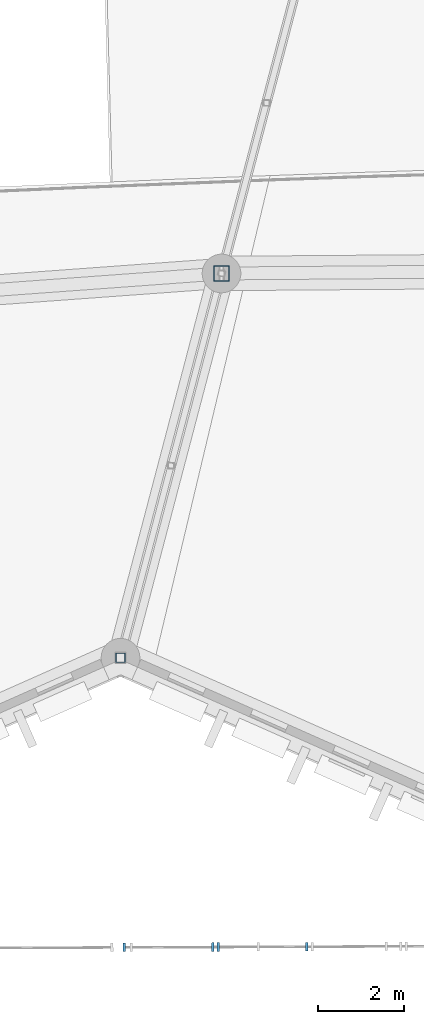
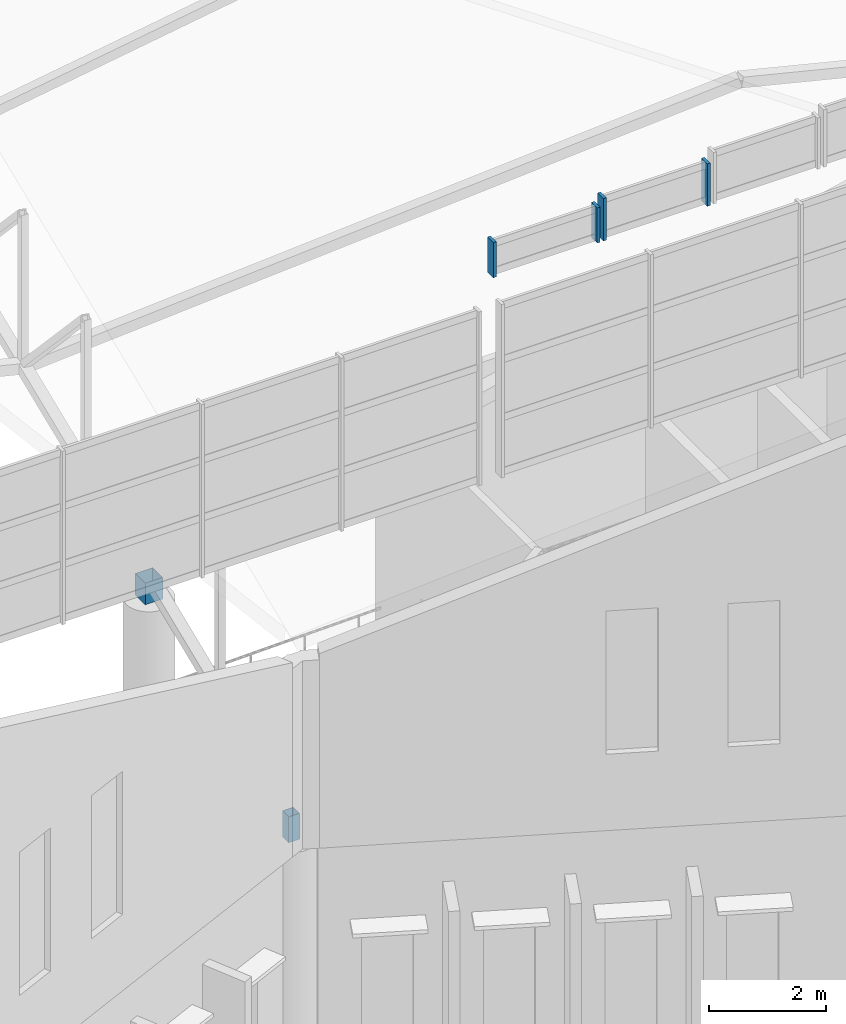
# One storey, part 209 of 344: 6 members, 2 elements without a shape of their own.
"""IFC4 building model written with IfcOpenShell, lengths in metres."""

from ifc_helpers import new_model, si_unit, direction, frame, origin, origin_2d, place, context, subcontext, project, spatial, rectangle, hollow_rectangle, extrude, material, layer, layer_set, material_profile, profile_set, type_object, element, aggregate, save


model = new_model("IFC4")

# Units and contexts
model_context = context("Model", 3, precision=1e-05, world=origin(), true_north=direction((0.0, 1.0)))
body_context = subcontext(model_context, "Body", "Model", "MODEL_VIEW")
ifc_project = project(units=[si_unit("LENGTHUNIT", "METRE"), si_unit("AREAUNIT", "SQUARE_METRE"), si_unit("VOLUMEUNIT", "CUBIC_METRE"), si_unit("PLANEANGLEUNIT", "RADIAN"), si_unit("MASSUNIT", "GRAM", prefix="KILO")], contexts=[model_context])

# Site, building, storey
site_placement = place(None, origin())
site = spatial("IfcSite", under=ifc_project, at=site_placement, CompositionType="ELEMENT")
building_placement = place(site_placement, origin())
building = spatial("IfcBuilding", under=site, at=building_placement, Name="Meseta Stadium", CompositionType="ELEMENT")
storey_placement = place(building_placement, frame((0.0, 0.0, 24.0)))
storey = spatial("IfcBuildingStorey", under=building, at=storey_placement, Name="L04", CompositionType="ELEMENT", Elevation=24.0)

# Curtain wall, members
ifc_material_1 = material(Name="Aluminium", Category="aluminium")
ifc_layer = layer(ifc_material_1, 0.199951171875)
ifc_layer_set = layer_set([ifc_layer], Name="Gable glazing curtain wall")
curtain_wall_type = type_object("IfcCurtainWallType", Name="Gable glazing curtain wall", PredefinedType="NOTDEFINED", material=ifc_layer_set)
curtain_wall_1_placement = place(storey_placement, origin())
curtain_wall_1 = element("IfcCurtainWall", 1, at=curtain_wall_1_placement, inside=storey, type_object=curtain_wall_type, Name="Gable glazing south bay 08", PredefinedType="NOTDEFINED")
ifc_material_2 = material(Name="Aluminium", Category="aluminium")
ifc_material_profile_1 = material_profile(ifc_material_2, rectangle(XDim=0.199951171875, YDim=0.06005859375, at=origin_2d()), Name="CW 200x60")
ifc_profile_set_1 = profile_set([ifc_material_profile_1], Name="Aluminium")
member_type_1 = type_object("IfcMemberType", Name="CW mullion 60x200", PredefinedType="MULLION", material=ifc_profile_set_1)
member_1_placement = place(storey_placement, frame((-22.912109375, -105.340576171875, 21.85498046875), z_axis=(0.0, 0.0, 1.0), x_axis=(-0.003847534233, 0.999992598213, 0.0)))
member_1 = element("IfcMember", 2, at=member_1_placement, type_object=member_type_1, Name="CWG mullion 1", PredefinedType="MULLION", context=body_context, shape_type="SweptSolid", body=[
    extrude(rectangle(XDim=0.199951171875, YDim=0.06005859375, at=origin_2d()), origin(), (0.0, 0.0, 1.0), 0.73681640625),
])
member_2_placement = place(storey_placement, frame((-20.849365234375, -105.332763671875, 21.85498046875), z_axis=(0.0, 0.0, 1.0), x_axis=(-0.003847534233, 0.999992598213, 0.0)))
member_2 = element("IfcMember", 3, at=member_2_placement, type_object=member_type_1, Name="CWG mullion 2", PredefinedType="MULLION", context=body_context, shape_type="SweptSolid", body=[
    extrude(rectangle(XDim=0.199951171875, YDim=0.06005859375, at=origin_2d()), origin(), (0.0, 0.0, 1.0), 0.73681640625),
])
aggregate(curtain_wall_1, [member_1, member_2])

curtain_wall_2_placement = place(storey_placement, origin())
curtain_wall_2 = element("IfcCurtainWall", 4, at=curtain_wall_2_placement, inside=storey, type_object=curtain_wall_type, Name="Gable glazing south bay 09", PredefinedType="NOTDEFINED")
member_3_placement = place(storey_placement, frame((-20.725341796875, -105.332275390625, 21.85498046875), z_axis=(0.0, 0.0, 1.0), x_axis=(-0.003847534233, 0.999992598213, 0.0)))
member_3 = element("IfcMember", 5, at=member_3_placement, type_object=member_type_1, Name="CWG mullion 1", PredefinedType="MULLION", context=body_context, shape_type="SweptSolid", body=[
    extrude(rectangle(XDim=0.199951171875, YDim=0.06005859375, at=origin_2d()), origin(), (0.0, 0.0, 1.0), 0.88916015625),
])
member_4_placement = place(storey_placement, frame((-18.66259765625, -105.32421875, 21.85498046875), z_axis=(0.0, 0.0, 1.0), x_axis=(-0.003847534233, 0.999992598213, 0.0)))
member_4 = element("IfcMember", 6, at=member_4_placement, type_object=member_type_1, Name="CWG mullion 2", PredefinedType="MULLION", context=body_context, shape_type="SweptSolid", body=[
    extrude(rectangle(XDim=0.199951171875, YDim=0.06005859375, at=origin_2d()), origin(), (0.0, 0.0, 1.0), 0.88916015625),
])
aggregate(curtain_wall_2, [member_3, member_4])

# Members
ifc_material_3 = material(Name="Steel S355", Category="steel")
ifc_material_profile_2 = material_profile(ifc_material_3, hollow_rectangle(XDim=0.219970703125, YDim=0.219970703125, WallThickness=0.008056640625, at=origin_2d()), Name="SHS 220x220x8")
ifc_profile_set_2 = profile_set([ifc_material_profile_2], Name="Steel S355")
member_type_2 = type_object("IfcMemberType", Name="SHS 220x220x8 rim post", PredefinedType="POST", material=ifc_profile_set_2)
member_5_placement = place(storey_placement, frame((-23.0, -98.60009765625, 6.0), z_axis=(0.0, 0.0, 1.0), x_axis=(1.0, 0.0, 0.0)))
element("IfcMember", 7, at=member_5_placement, inside=storey, type_object=member_type_2, Name="ROOF RIM POST RT-45", PredefinedType="POST", context=body_context, shape_type="SweptSolid", body=[
    extrude(hollow_rectangle(XDim=0.219970703125, YDim=0.219970703125, WallThickness=0.008056640625, at=origin_2d()), origin(), (0.0, 0.0, 1.0), 0.540283203125),
])
ifc_material_4 = material(Name="Steel S355", Category="steel")
ifc_material_profile_3 = material_profile(ifc_material_4, hollow_rectangle(XDim=0.35009765625, YDim=0.35009765625, WallThickness=0.010009765625, at=origin_2d()), Name="SHS 350x350x10")
ifc_profile_set_3 = profile_set([ifc_material_profile_3], Name="Steel S355")
member_type_3 = type_object("IfcMemberType", Name="SHS 350x350x10 pedestal", PredefinedType="POST", material=ifc_profile_set_3)
member_6_placement = place(storey_placement, frame((-20.649658203125, -89.65625, 4.800048828125), z_axis=(0.0, 0.0, 1.0), x_axis=(1.0, 0.0, 0.0)))
element("IfcMember", 8, at=member_6_placement, inside=storey, type_object=member_type_3, Name="ROOF TRUSS RT-45 pedestal", PredefinedType="POST", context=body_context, shape_type="SweptSolid", body=[
    extrude(hollow_rectangle(XDim=0.35009765625, YDim=0.35009765625, WallThickness=0.010009765625, at=origin_2d()), origin(), (0.0, 0.0, 1.0), 0.44775390625),
])

save(model, "model.ifc")
